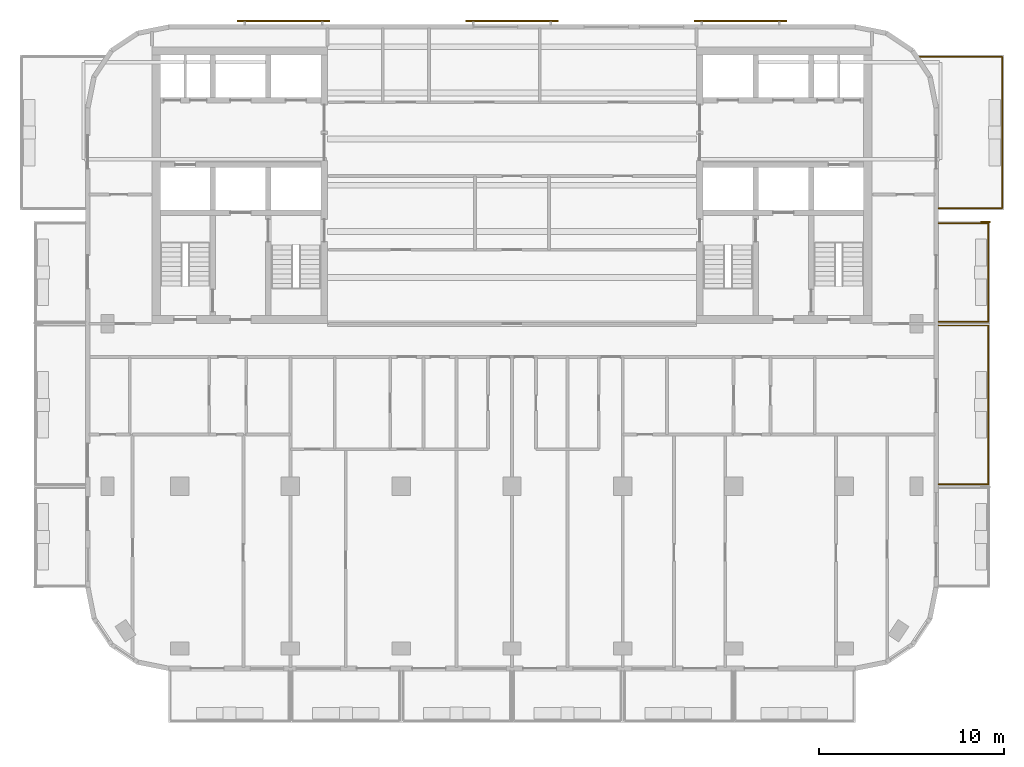
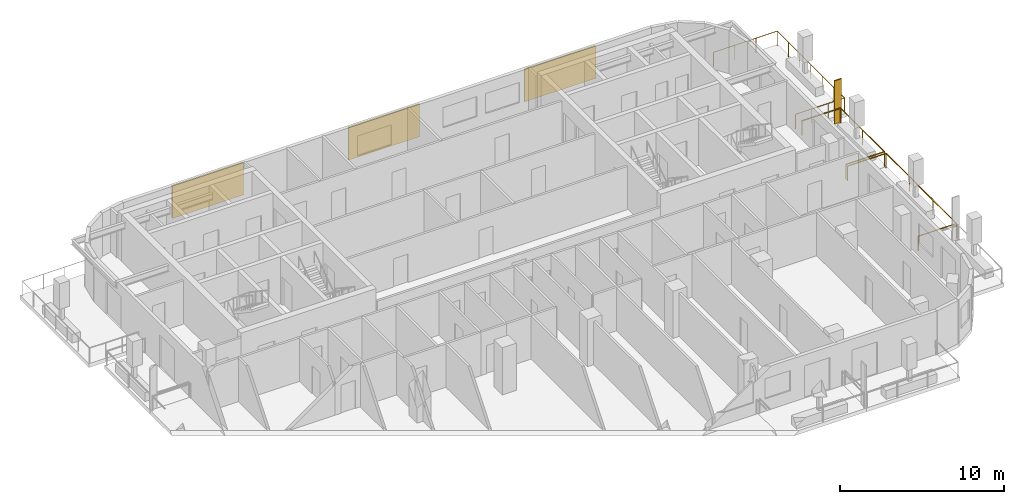
# One storey, part 10 of 11: 4 shading devices, 3 railings.
"""IFC4 building model written with IfcOpenShell, lengths in metres."""

from ifc_helpers import new_model, si_unit, direction, frame, origin, origin_2d, place, context, subcontext, project, spatial, rectangle, circle, extrude, material, layer, layer_set, type_object, element, save


model = new_model("IFC4")

# Units and contexts
model_context = context("Model", 3, precision=1e-05, world=origin(), true_north=direction((0.0, 1.0)))
body_context = subcontext(model_context, "Body", "Model", "MODEL_VIEW")
ifc_project = project(units=[si_unit("LENGTHUNIT", "METRE"), si_unit("AREAUNIT", "SQUARE_METRE"), si_unit("VOLUMEUNIT", "CUBIC_METRE"), si_unit("PLANEANGLEUNIT", "RADIAN"), si_unit("MASSUNIT", "GRAM", prefix="KILO")], contexts=[model_context])

# Site, building, storey
site_placement = place(None, origin())
site = spatial("IfcSite", under=ifc_project, at=site_placement, CompositionType="ELEMENT")
building_placement = place(site_placement, origin())
building = spatial("IfcBuilding", under=site, at=building_placement, Name="Torana Hotel and Residences", CompositionType="ELEMENT")
storey_placement = place(building_placement, frame((0.0, 0.0, 287.60009765625)))
storey = spatial("IfcBuildingStorey", under=building, at=storey_placement, Name="L76", CompositionType="ELEMENT", Elevation=287.60009765625)

# Shading device
ifc_material_1 = material(Name="Black powder coated aluminium", Category="aluminium")
ifc_layer_1 = layer(ifc_material_1, 0.080078125)
ifc_layer_set_1 = layer_set([ifc_layer_1], Name="FN1 VERTICAL FIN 500x80")
shading_device_type_1 = type_object("IfcShadingDeviceType", Name="FN1 VERTICAL FIN 500x80", PredefinedType="USERDEFINED", material=ifc_layer_set_1)
shading_device_placement = place(storey_placement, frame((25.64990234375, -9.489990234375, 0.0), z_axis=(0.0, 0.0, 1.0), x_axis=(0.0, -1.0, 0.0)))
element("IfcShadingDevice", 1, at=shading_device_placement, inside=storey, type_object=shading_device_type_1, Name="Fin 13", ObjectType="FIN", PredefinedType="USERDEFINED", context=body_context, shape_type="SweptSolid", body=[
    extrude(rectangle(XDim=0.080078125, YDim=0.5, at=origin_2d()), origin(), (0.0, 0.0, 1.0), 3.219970703125),
])

# Railings
ifc_material_2 = material(Name="Laminated glass balustrade with black handrail", Category="glass")
railing_type = type_object("IfcRailingType", Name="GR1 BALCONY GUARD 1100 GLASS", PredefinedType="GUARDRAIL", material=ifc_material_2)
railing_1_placement = place(storey_placement, frame((23.10009765625, -15.10009765625, 0.0)))
element("IfcRailing", 2, at=railing_1_placement, inside=storey, type_object=railing_type, Name="Balcony guard 12", PredefinedType="GUARDRAIL", context=body_context, shape_type="SweptSolid", body=[
    extrude(circle(Radius=0.02392578125, at=origin_2d()), frame((0.0, 0.0, 1.076171875), z_axis=(1.0, 0.0, 0.0), x_axis=(0.0, 1.0, 0.0)), (0.0, 0.0, 1.0), 2.699951171875),
    extrude(circle(Radius=0.02392578125, at=origin_2d()), frame((2.699951171875, 0.0, 1.076171875), z_axis=(0.0, -1.0, 0.0), x_axis=(1.0, 0.0, 0.0)), (0.0, 0.0, 1.0), 8.599853515625),
    extrude(circle(Radius=0.02392578125, at=origin_2d()), frame((2.699951171875, -8.599853515625, 1.076171875), z_axis=(-1.0, 0.0, 0.0), x_axis=(0.0, -1.0, 0.0)), (0.0, 0.0, 1.0), 2.699951171875),
    extrude(circle(Radius=0.02099609375, at=origin_2d()), origin(), (0.0, 0.0, 1.0), 1.052001953125),
    extrude(circle(Radius=0.02099609375, at=origin_2d()), frame((2.699951171875, 0.0, 0.0)), (0.0, 0.0, 1.0), 1.052001953125),
    extrude(circle(Radius=0.02099609375, at=origin_2d()), frame((2.699951171875, -2.86669921875, 0.0)), (0.0, 0.0, 1.0), 1.052001953125),
    extrude(circle(Radius=0.02099609375, at=origin_2d()), frame((2.699951171875, -5.733154296875, 0.0)), (0.0, 0.0, 1.0), 1.052001953125),
    extrude(circle(Radius=0.02099609375, at=origin_2d()), frame((2.699951171875, -8.599853515625, 0.0)), (0.0, 0.0, 1.0), 1.052001953125),
    extrude(circle(Radius=0.02099609375, at=origin_2d()), frame((0.0, -8.599853515625, 0.0)), (0.0, 0.0, 1.0), 1.052001953125),
])
railing_2_placement = place(storey_placement, frame((23.10009765625, -9.550048828125, 0.0)))
element("IfcRailing", 3, at=railing_2_placement, inside=storey, type_object=railing_type, Name="Balcony guard 13", PredefinedType="GUARDRAIL", context=body_context, shape_type="SweptSolid", body=[
    extrude(circle(Radius=0.02392578125, at=origin_2d()), frame((0.0, 0.0, 1.076171875), z_axis=(1.0, 0.0, 0.0), x_axis=(0.0, 1.0, 0.0)), (0.0, 0.0, 1.0), 2.699951171875),
    extrude(circle(Radius=0.02392578125, at=origin_2d()), frame((2.699951171875, 0.0, 1.076171875), z_axis=(0.0, -1.0, 0.0), x_axis=(1.0, 0.0, 0.0)), (0.0, 0.0, 1.0), 5.349853515625),
    extrude(circle(Radius=0.02392578125, at=origin_2d()), frame((2.699951171875, -5.349853515625, 1.076171875), z_axis=(-1.0, 0.0, 0.0), x_axis=(0.0, -1.0, 0.0)), (0.0, 0.0, 1.0), 2.699951171875),
    extrude(circle(Radius=0.02099609375, at=origin_2d()), origin(), (0.0, 0.0, 1.0), 1.052001953125),
    extrude(circle(Radius=0.02099609375, at=origin_2d()), frame((2.699951171875, 0.0, 0.0)), (0.0, 0.0, 1.0), 1.052001953125),
    extrude(circle(Radius=0.02099609375, at=origin_2d()), frame((2.699951171875, -2.6748046875, 0.0)), (0.0, 0.0, 1.0), 1.052001953125),
    extrude(circle(Radius=0.02099609375, at=origin_2d()), frame((2.699951171875, -5.349853515625, 0.0)), (0.0, 0.0, 1.0), 1.052001953125),
    extrude(circle(Radius=0.02099609375, at=origin_2d()), frame((0.0, -5.349853515625, 0.0)), (0.0, 0.0, 1.0), 1.052001953125),
])
railing_3_placement = place(storey_placement, frame((22.07080078125, -0.550048828125, 0.0)))
element("IfcRailing", 4, at=railing_3_placement, inside=storey, type_object=railing_type, Name="Balcony guard 14", PredefinedType="GUARDRAIL", context=body_context, shape_type="SweptSolid", body=[
    extrude(circle(Radius=0.02392578125, at=origin_2d()), frame((0.0, 0.0, 1.076171875), z_axis=(1.0, 0.0, 0.0), x_axis=(0.0, 1.0, 0.0)), (0.0, 0.0, 1.0), 4.479248046875),
    extrude(circle(Radius=0.02392578125, at=origin_2d()), frame((4.479248046875, 0.0, 1.076171875), z_axis=(0.0, -1.0, 0.0), x_axis=(1.0, 0.0, 0.0)), (0.0, 0.0, 1.0), 8.199951171875),
    extrude(circle(Radius=0.02392578125, at=origin_2d()), frame((4.479248046875, -8.199951171875, 1.076171875), z_axis=(-1.0, 0.0, 0.0), x_axis=(0.0, -1.0, 0.0)), (0.0, 0.0, 1.0), 3.449951171875),
    extrude(circle(Radius=0.02099609375, at=origin_2d()), origin(), (0.0, 0.0, 1.0), 1.052001953125),
    extrude(circle(Radius=0.02099609375, at=origin_2d()), frame((1.4931640625, 0.0, 0.0)), (0.0, 0.0, 1.0), 1.052001953125),
    extrude(circle(Radius=0.02099609375, at=origin_2d()), frame((2.986083984375, 0.0, 0.0)), (0.0, 0.0, 1.0), 1.052001953125),
    extrude(circle(Radius=0.02099609375, at=origin_2d()), frame((4.479248046875, 0.0, 0.0)), (0.0, 0.0, 1.0), 1.052001953125),
    extrude(circle(Radius=0.02099609375, at=origin_2d()), frame((4.479248046875, -1.36669921875, 0.0)), (0.0, 0.0, 1.0), 1.052001953125),
    extrude(circle(Radius=0.02099609375, at=origin_2d()), frame((4.479248046875, -2.7333984375, 0.0)), (0.0, 0.0, 1.0), 1.052001953125),
    extrude(circle(Radius=0.02099609375, at=origin_2d()), frame((4.479248046875, -4.10009765625, 0.0)), (0.0, 0.0, 1.0), 1.052001953125),
    extrude(circle(Radius=0.02099609375, at=origin_2d()), frame((4.479248046875, -5.466552734375, 0.0)), (0.0, 0.0, 1.0), 1.052001953125),
    extrude(circle(Radius=0.02099609375, at=origin_2d()), frame((4.479248046875, -6.833251953125, 0.0)), (0.0, 0.0, 1.0), 1.052001953125),
    extrude(circle(Radius=0.02099609375, at=origin_2d()), frame((4.479248046875, -8.199951171875, 0.0)), (0.0, 0.0, 1.0), 1.052001953125),
    extrude(circle(Radius=0.02099609375, at=origin_2d()), frame((3.329345703125, -8.199951171875, 0.0)), (0.0, 0.0, 1.0), 1.052001953125),
    extrude(circle(Radius=0.02099609375, at=origin_2d()), frame((2.17919921875, -8.199951171875, 0.0)), (0.0, 0.0, 1.0), 1.052001953125),
    extrude(circle(Radius=0.02099609375, at=origin_2d()), frame((1.029296875, -8.199951171875, 0.0)), (0.0, 0.0, 1.0), 1.052001953125),
])

# Shading devices
ifc_material_3 = material(Name="Concrete C40/50 precast", Category="concrete")
ifc_layer_2 = layer(ifc_material_3, 0.10009765625)
ifc_layer_set_2 = layer_set([ifc_layer_2], Name="SC1 PERFORATED BLOCK SCREEN PANEL 100")
shading_device_type_2 = type_object("IfcShadingDeviceType", Name="SC1 PERFORATED BLOCK SCREEN PANEL 100", PredefinedType="USERDEFINED", material=ifc_layer_set_2)
for number, where, z_axis, x_axis, name in (
    (5, (12.383544921875, 1.39990234375, 0.5), (0.0, 0.0, 1.0), (-1.0, 0.0, 0.0), "Perforated block screen L76"),
    (6, (0.0, 1.39990234375, 0.5), (0.0, 0.0, 1.0), (-1.0, 0.0, 0.0), "Perforated block screen L76"),
    (7, (-12.383544921875, 1.39990234375, 0.5), (0.0, 0.0, 1.0), (-1.0, 0.0, 0.0), "Perforated block screen L76"),
):
    element("IfcShadingDevice", number, at=place(storey_placement, frame(where, z_axis=z_axis, x_axis=x_axis)), inside=storey, type_object=shading_device_type_2, Name=name, ObjectType="SCREEN", PredefinedType="USERDEFINED", context=body_context, shape_type="SweptSolid", body=[
        extrude(rectangle(XDim=5.0, YDim=0.10009765625, at=origin_2d()), origin(), (0.0, 0.0, 1.0), 2.419921875),
    ])

save(model, "model.ifc")
